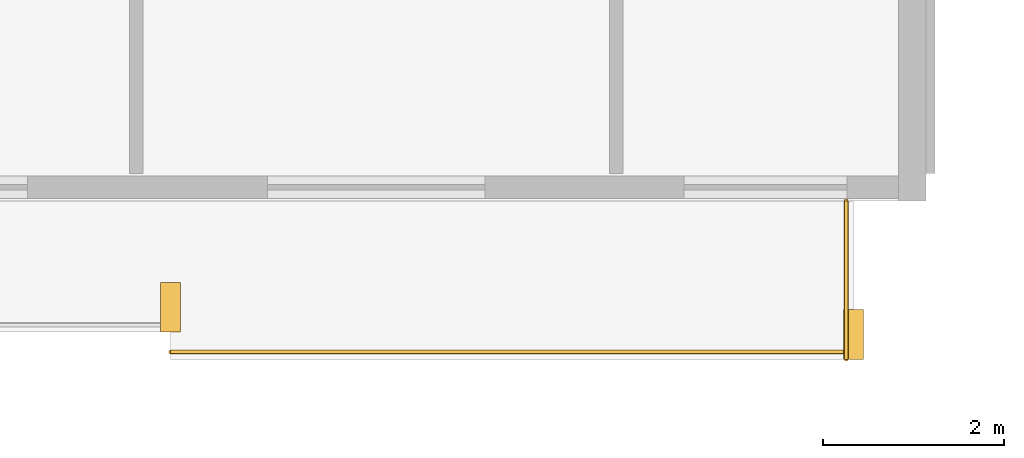
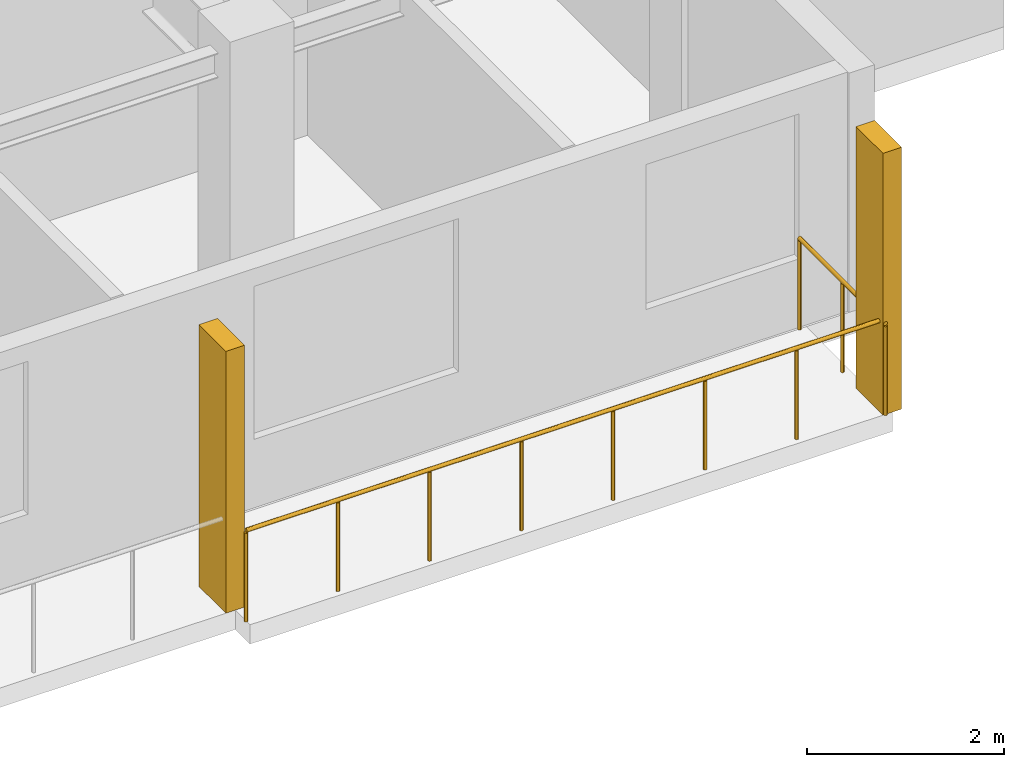
# One storey, part 30 of 32: 2 railings, 2 shading devices.
"""IFC4 building model written with IfcOpenShell, lengths in metres."""

from ifc_helpers import new_model, si_unit, direction, frame, origin, origin_2d, place, context, subcontext, project, spatial, rectangle, circle, extrude, material, type_object, element, save


model = new_model("IFC4")

# Units and contexts
model_context = context("Model", 3, precision=1e-05, world=origin(), true_north=direction((0.0, 1.0)))
body_context = subcontext(model_context, "Body", "Model", "MODEL_VIEW")
ifc_project = project(units=[si_unit("LENGTHUNIT", "METRE"), si_unit("AREAUNIT", "SQUARE_METRE"), si_unit("VOLUMEUNIT", "CUBIC_METRE"), si_unit("PLANEANGLEUNIT", "RADIAN"), si_unit("MASSUNIT", "GRAM", prefix="KILO")], contexts=[model_context])

# Site, building, storey
site_placement = place(None, origin())
site = spatial("IfcSite", under=ifc_project, at=site_placement, CompositionType="ELEMENT")
building_placement = place(site_placement, origin())
building = spatial("IfcBuilding", under=site, at=building_placement, Name="Korimba Cascade Residences", CompositionType="ELEMENT")
storey_placement = place(building_placement, frame((0.0, 0.0, 178.35009765625)))
storey = spatial("IfcBuildingStorey", under=building, at=storey_placement, Name="L51", CompositionType="ELEMENT", Elevation=178.35009765625)

# Railings
ifc_material_1 = material(Name="Laminated Glass and Bronze Balustrade", Category="glass")
railing_type = type_object("IfcRailingType", Name="RLG-LOG-1150", PredefinedType="BALUSTRADE", material=ifc_material_1)
railing_1_placement = place(storey_placement, frame((120.55712890625, -9.469970703125, 0.0)))
element("IfcRailing", 1, at=railing_1_placement, inside=storey, type_object=railing_type, Name="L51 Perimeter Guardrail RLG-L51-T2-LOG-06", PredefinedType="BALUSTRADE", context=body_context, shape_type="SweptSolid", body=[
    extrude(circle(Radius=0.02392578125, at=origin_2d()), frame((0.0, 0.0, 1.1259765625), z_axis=(1.0, 0.0, 0.0), x_axis=(0.0, 1.0, 0.0)), (0.0, 0.0, 1.0), 7.54296875),
    extrude(circle(Radius=0.02099609375, at=origin_2d()), origin(), (0.0, 0.0, 1.0), 1.101806640625),
    extrude(circle(Radius=0.02099609375, at=origin_2d()), frame((1.07763671875, 0.0, 0.0)), (0.0, 0.0, 1.0), 1.101806640625),
    extrude(circle(Radius=0.02099609375, at=origin_2d()), frame((2.155029296875, 0.0, 0.0)), (0.0, 0.0, 1.0), 1.101806640625),
    extrude(circle(Radius=0.02099609375, at=origin_2d()), frame((3.232666015625, 0.0, 0.0)), (0.0, 0.0, 1.0), 1.101806640625),
    extrude(circle(Radius=0.02099609375, at=origin_2d()), frame((4.310302734375, 0.0, 0.0)), (0.0, 0.0, 1.0), 1.101806640625),
    extrude(circle(Radius=0.02099609375, at=origin_2d()), frame((5.387939453125, 0.0, 0.0)), (0.0, 0.0, 1.0), 1.101806640625),
    extrude(circle(Radius=0.02099609375, at=origin_2d()), frame((6.46533203125, 0.0, 0.0)), (0.0, 0.0, 1.0), 1.101806640625),
    extrude(circle(Radius=0.02099609375, at=origin_2d()), frame((7.54296875, 0.0, 0.0)), (0.0, 0.0, 1.0), 1.101806640625),
])
railing_2_placement = place(storey_placement, frame((128.02001953125, -9.550048828125, 0.0)))
element("IfcRailing", 2, at=railing_2_placement, inside=storey, type_object=railing_type, Name="L51 Perimeter Guardrail RLG-L51-T2-LOG-07", PredefinedType="BALUSTRADE", context=body_context, shape_type="SweptSolid", body=[
    extrude(circle(Radius=0.02392578125, at=origin_2d()), frame((0.0, 0.0, 1.1259765625), z_axis=(0.0, 1.0, 0.0), x_axis=(-1.0, 0.0, 0.0)), (0.0, 0.0, 1.0), 1.75),
    extrude(circle(Radius=0.02099609375, at=origin_2d()), origin(), (0.0, 0.0, 1.0), 1.101806640625),
    extrude(circle(Radius=0.02099609375, at=origin_2d()), frame((0.0, 0.875, 0.0)), (0.0, 0.0, 1.0), 1.101806640625),
    extrude(circle(Radius=0.02099609375, at=origin_2d()), frame((0.0, 1.75, 0.0)), (0.0, 0.0, 1.0), 1.101806640625),
])

# Shading devices
ifc_material_2 = material(Name="Honed Sandstone Precast Fin", Category="masonry")
shading_device_type = type_object("IfcShadingDeviceType", Name="SHD-FIN-550", PredefinedType="USERDEFINED", material=ifc_material_2)
for number, where, z_axis, x_axis, name in (
    (3, (120.55712890625, -8.97509765625, 0.0), (0.0, 0.0, 1.0), (1.0, 0.0, 0.0), "L51 T2 Warm-Stone Loggia Fin 7"),
    (4, (128.10009765625, -9.27490234375, 0.0), (0.0, 0.0, 1.0), (1.0, 0.0, 0.0), "L51 T2 Warm-Stone Loggia Fin 8"),
):
    element("IfcShadingDevice", number, at=place(storey_placement, frame(where, z_axis=z_axis, x_axis=x_axis)), inside=storey, type_object=shading_device_type, Name=name, ObjectType="FIN", PredefinedType="USERDEFINED", context=body_context, shape_type="SweptSolid", body=[
        extrude(rectangle(XDim=0.219970703125, YDim=0.550048828125, at=origin_2d()), origin(), (0.0, 0.0, 1.0), 3.25),
    ])

save(model, "model.ifc")
